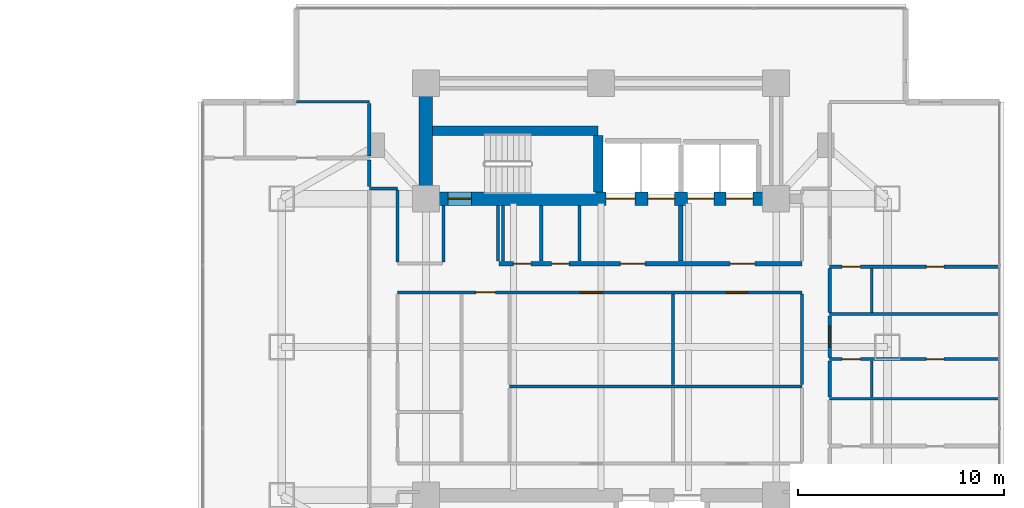
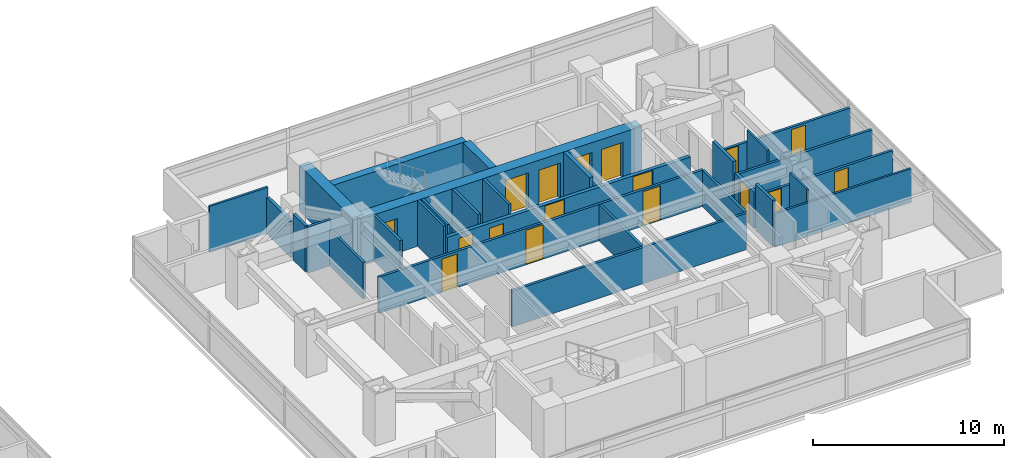
# One storey, part 19 of 26: 29 walls, 17 doors, 17 openings.
"""IFC4 building model written with IfcOpenShell, lengths in metres."""

from ifc_helpers import new_model, si_unit, direction, frame, frame_2d, origin, place, context, subcontext, project, spatial, rectangle, extrude, material, layer, layer_set, type_object, element, fill, save


model = new_model("IFC4")

# Units and contexts
model_context = context("Model", 3, precision=1e-05, world=origin(), true_north=direction((0.0, 1.0)))
body_context = subcontext(model_context, "Body", "Model", "MODEL_VIEW")
ifc_project = project(units=[si_unit("LENGTHUNIT", "METRE"), si_unit("AREAUNIT", "SQUARE_METRE"), si_unit("VOLUMEUNIT", "CUBIC_METRE"), si_unit("PLANEANGLEUNIT", "RADIAN"), si_unit("MASSUNIT", "GRAM", prefix="KILO")], contexts=[model_context])

# Site, building, storey
site_placement = place(None, origin())
site = spatial("IfcSite", under=ifc_project, at=site_placement, CompositionType="ELEMENT")
building_placement = place(site_placement, origin())
building = spatial("IfcBuilding", under=site, at=building_placement, Name="Mirazonda Arch Towers", CompositionType="ELEMENT")
storey_placement = place(building_placement, frame((0.0, 0.0, 78.5)))
storey = spatial("IfcBuildingStorey", under=building, at=storey_placement, Name="L22", CompositionType="ELEMENT", Elevation=78.5)

# Walls
ifc_material_1 = material(Name="Concrete C50/60", Category="concrete")
ifc_layer_1 = layer(ifc_material_1, 0.449951171875, Name="WALL-CORE-450")
ifc_layer_set_1 = layer_set([ifc_layer_1], Name="Concrete C50/60")
wall_type_1 = type_object("IfcWallType", Name="WALL-CORE-450", PredefinedType="SHEAR", material=ifc_layer_set_1)
wall_1_placement = place(storey_placement, frame((68.320068359375, 38.5, 0.0), z_axis=(0.0, 0.0, 1.0), x_axis=(1.0, 0.0, 0.0)))
element("IfcWall", 1, at=wall_1_placement, inside=storey, type_object=wall_type_1, Name="L22 Stair Core Shear Wall 048", PredefinedType="SHEAR", context=body_context, shape_type="SweptSolid", body=[
    extrude(rectangle(XDim=8.0400390625, YDim=0.449951171875, at=frame_2d((4.02001953125, 0.0))), origin(), (0.0, 0.0, 1.0), 2.93994140625),
])
wall_2_placement = place(storey_placement, frame((76.360107421875, 35.52001953125, 0.0), z_axis=(0.0, 0.0, 1.0), x_axis=(0.0, 1.0, 0.0)))
element("IfcWall", 2, at=wall_2_placement, inside=storey, type_object=wall_type_1, Name="L22 Stair Core Shear Wall 126", PredefinedType="SHEAR", context=body_context, shape_type="SweptSolid", body=[
    extrude(rectangle(XDim=2.744873046875, YDim=0.449951171875, at=frame_2d((1.37255859375, 0.0))), origin(), (0.0, 0.0, 1.0), 2.93994140625),
])
ifc_material_2 = material(Name="Concrete C60/75", Category="concrete")
ifc_layer_2 = layer(ifc_material_2, 0.64990234375, Name="WALL-CORE-650")
ifc_layer_set_2 = layer_set([ifc_layer_2], Name="Concrete C60/75")
wall_type_2 = type_object("IfcWallType", Name="WALL-CORE-650", PredefinedType="SHEAR", material=ifc_layer_set_2)
wall_3_placement = place(storey_placement, frame((68.0, 35.199951171875, 0.0), z_axis=(0.0, 0.0, 1.0), x_axis=(0.0, 1.0, 0.0)))
element("IfcWall", 3, at=wall_3_placement, inside=storey, type_object=wall_type_2, Name="L22 T2N-W Core Shear Wall", PredefinedType="SHEAR", context=body_context, shape_type="SweptSolid", body=[
    extrude(rectangle(XDim=5.60009765625, YDim=0.64990234375, at=frame_2d((2.800048828125, 0.0))), origin(), (0.0, 0.0, 1.0), 2.93994140625),
])

# Wall, openings, doors
wall_4_placement = place(storey_placement, frame((68.0, 35.199951171875, 0.0), z_axis=(0.0, 0.0, 1.0), x_axis=(1.0, 0.0, 0.0)))
wall_4 = element("IfcWall", 4, at=wall_4_placement, inside=storey, type_object=wall_type_2, Name="L22 T2N-S Core Shear Wall", PredefinedType="SHEAR", context=body_context, shape_type="SweptSolid", body=[
    extrude(rectangle(XDim=17.0, YDim=0.64990234375, at=frame_2d((8.5, 0.0))), origin(), (0.0, 0.0, 1.0), 2.93994140625),
])
opening_1_placement = place(wall_4_placement, frame((1.06005859375, 0.0, 0.0)))
opening_1 = element("IfcOpeningElement", 5, at=opening_1_placement, cuts=wall_4, Name="Opening DR-135", PredefinedType="OPENING", context=body_context, shape_type="SweptSolid", body=[
    extrude(rectangle(XDim=1.14990234375, YDim=2.199951171875, at=frame_2d((0.574951171875, 1.10009765625))), frame((0.0, 0.3349609375, 0.0), z_axis=(0.0, -1.0, 0.0), x_axis=(1.0, 0.0, 0.0)), (0.0, 0.0, 1.0), 0.669921875),
])
opening_2_placement = place(wall_4_placement, frame((8.75, 0.0, 0.0)))
opening_2 = element("IfcOpeningElement", 6, at=opening_2_placement, cuts=wall_4, Name="Opening LD-112", PredefinedType="OPENING", context=body_context, shape_type="SweptSolid", body=[
    extrude(rectangle(XDim=1.39990234375, YDim=2.35009765625, at=frame_2d((0.699951171875, 1.175048828125))), frame((0.0, 0.3349609375, 0.0), z_axis=(0.0, -1.0, 0.0), x_axis=(1.0, 0.0, 0.0)), (0.0, 0.0, 1.0), 0.669921875),
])
opening_3_placement = place(wall_4_placement, frame((10.77001953125, 0.0, 0.0)))
opening_3 = element("IfcOpeningElement", 7, at=opening_3_placement, cuts=wall_4, Name="Opening LD-111", PredefinedType="OPENING", context=body_context, shape_type="SweptSolid", body=[
    extrude(rectangle(XDim=1.300048828125, YDim=2.300048828125, at=frame_2d((0.64990234375, 1.14990234375))), frame((0.0, 0.3349609375, 0.0), z_axis=(0.0, -1.0, 0.0), x_axis=(1.0, 0.0, 0.0)), (0.0, 0.0, 1.0), 0.669921875),
])
opening_4_placement = place(wall_4_placement, frame((12.68994140625, 0.0, 0.0)))
opening_4 = element("IfcOpeningElement", 8, at=opening_4_placement, cuts=wall_4, Name="Opening LD-111", PredefinedType="OPENING", context=body_context, shape_type="SweptSolid", body=[
    extrude(rectangle(XDim=1.300048828125, YDim=2.300048828125, at=frame_2d((0.64990234375, 1.14990234375))), frame((0.0, 0.3349609375, 0.0), z_axis=(0.0, -1.0, 0.0), x_axis=(1.0, 0.0, 0.0)), (0.0, 0.0, 1.0), 0.669921875),
])
opening_5_placement = place(wall_4_placement, frame((14.570068359375, 0.0, 0.0)))
opening_5 = element("IfcOpeningElement", 9, at=opening_5_placement, cuts=wall_4, Name="Opening LD-111", PredefinedType="OPENING", context=body_context, shape_type="SweptSolid", body=[
    extrude(rectangle(XDim=1.300048828125, YDim=2.300048828125, at=frame_2d((0.64990234375, 1.14990234375))), frame((0.0, 0.3349609375, 0.0), z_axis=(0.0, -1.0, 0.0), x_axis=(1.0, 0.0, 0.0)), (0.0, 0.0, 1.0), 0.669921875),
])
ifc_material_3 = material(Name="Architectural Brushed Steel S355", Category="steel")
door_type_1 = type_object("IfcDoorType", Name="DOOR-LIFT-FFL-1400", OperationType="NOTDEFINED", PredefinedType="DOOR", material=ifc_material_3)
door_1_placement = place(opening_2_placement, origin())
door_1 = element("IfcDoor", 10, at=door_1_placement, inside=storey, type_object=door_type_1, Name="L22 Lift Landing Sliding Door FFL-T2", OperationType="DOUBLE_DOOR_SLIDING", OverallHeight=2.35009765625, OverallWidth=1.39990234375, PredefinedType="DOOR", context=body_context, shape_type="SweptSolid", body=[
    extrude(rectangle(XDim=1.39990234375, YDim=2.35009765625, at=frame_2d((0.699951171875, 1.175048828125))), frame((0.0, 0.02490234375, 0.0), z_axis=(0.0, -1.0, 0.0), x_axis=(1.0, 0.0, 0.0)), (0.0, 0.0, 1.0), 0.050048828125),
])
fill(opening_2, door_1)
door_type_2 = type_object("IfcDoorType", Name="DOOR-LIFT-LAND-1300", OperationType="NOTDEFINED", PredefinedType="DOOR", material=ifc_material_3)
door_2_placement = place(opening_3_placement, origin())
door_2 = element("IfcDoor", 11, at=door_2_placement, inside=storey, type_object=door_type_2, Name="L22 Lift Landing Sliding Door SVL-T2", OperationType="DOUBLE_DOOR_SLIDING", OverallHeight=2.300048828125, OverallWidth=1.300048828125, PredefinedType="DOOR", context=body_context, shape_type="SweptSolid", body=[
    extrude(rectangle(XDim=1.300048828125, YDim=2.300048828125, at=frame_2d((0.64990234375, 1.14990234375))), frame((0.0, 0.02490234375, 0.0), z_axis=(0.0, -1.0, 0.0), x_axis=(1.0, 0.0, 0.0)), (0.0, 0.0, 1.0), 0.050048828125),
])
fill(opening_3, door_2)
door_3_placement = place(opening_4_placement, origin())
door_3 = element("IfcDoor", 12, at=door_3_placement, inside=storey, type_object=door_type_2, Name="L22 Lift Landing Sliding Door PL-T2L1", OperationType="DOUBLE_DOOR_SLIDING", OverallHeight=2.300048828125, OverallWidth=1.300048828125, PredefinedType="DOOR", context=body_context, shape_type="SweptSolid", body=[
    extrude(rectangle(XDim=1.300048828125, YDim=2.300048828125, at=frame_2d((0.64990234375, 1.14990234375))), frame((0.0, 0.02490234375, 0.0), z_axis=(0.0, -1.0, 0.0), x_axis=(1.0, 0.0, 0.0)), (0.0, 0.0, 1.0), 0.050048828125),
])
fill(opening_4, door_3)
door_4_placement = place(opening_5_placement, origin())
door_4 = element("IfcDoor", 13, at=door_4_placement, inside=storey, type_object=door_type_2, Name="L22 Lift Landing Sliding Door PL-T2L2", OperationType="DOUBLE_DOOR_SLIDING", OverallHeight=2.300048828125, OverallWidth=1.300048828125, PredefinedType="DOOR", context=body_context, shape_type="SweptSolid", body=[
    extrude(rectangle(XDim=1.300048828125, YDim=2.300048828125, at=frame_2d((0.64990234375, 1.14990234375))), frame((0.0, 0.02490234375, 0.0), z_axis=(0.0, -1.0, 0.0), x_axis=(1.0, 0.0, 0.0)), (0.0, 0.0, 1.0), 0.050048828125),
])
fill(opening_5, door_4)
door_type_3 = type_object("IfcDoorType", Name="DOOR-STAIR-FD90-1150", OperationType="NOTDEFINED", PredefinedType="DOOR", material=ifc_material_3)
door_5_placement = place(opening_1_placement, origin())
door_5 = element("IfcDoor", 14, at=door_5_placement, inside=storey, type_object=door_type_3, Name="L22 East Protected Stair North Door", OperationType="SINGLE_SWING_RIGHT", OverallHeight=2.199951171875, OverallWidth=1.14990234375, PredefinedType="DOOR", context=body_context, shape_type="SweptSolid", body=[
    extrude(rectangle(XDim=1.14990234375, YDim=2.199951171875, at=frame_2d((0.574951171875, 1.10009765625))), frame((0.0, 0.02490234375, 0.0), z_axis=(0.0, -1.0, 0.0), x_axis=(1.0, 0.0, 0.0)), (0.0, 0.0, 1.0), 0.050048828125),
])
fill(opening_1, door_5)

ifc_material_4 = material(Name="Concrete C40/50", Category="concrete")
ifc_layer_3 = layer(ifc_material_4, 0.219970703125, Name="WALL-FFL-220")
ifc_layer_set_3 = layer_set([ifc_layer_3], Name="Concrete C40/50")
wall_type_3 = type_object("IfcWallType", Name="WALL-FFL-220", PredefinedType="SOLIDWALL", material=ifc_layer_set_3)
wall_5_placement = place(storey_placement, frame((71.550048828125, 32.050048828125, 0.0), z_axis=(0.0, 0.0, 1.0), x_axis=(1.0, 0.0, 0.0)))
wall_5 = element("IfcWall", 15, at=wall_5_placement, inside=storey, type_object=wall_type_3, Name="L22 Interior Partition 038", PredefinedType="SOLIDWALL", context=body_context, shape_type="SweptSolid", body=[
    extrude(rectangle(XDim=14.699951171875, YDim=0.219970703125, at=frame_2d((7.35009765625, 0.0))), origin(), (0.0, 0.0, 1.0), 2.31591796875),
])
opening_6_placement = place(wall_5_placement, frame((11.215087890625, 0.0, 0.0)))
opening_6 = element("IfcOpeningElement", 16, at=opening_6_placement, cuts=wall_5, Name="Opening DR-117", PredefinedType="OPENING", context=body_context, shape_type="SweptSolid", body=[
    extrude(rectangle(XDim=1.199951171875, YDim=2.25, at=frame_2d((0.60009765625, 1.125))), frame((0.0, 0.119873046875, 0.0), z_axis=(0.0, -1.0, 0.0), x_axis=(1.0, 0.0, 0.0)), (0.0, 0.0, 1.0), 0.239990234375),
])
opening_7_placement = place(wall_5_placement, frame((5.889892578125, 0.0, 0.0)))
opening_7 = element("IfcOpeningElement", 17, at=opening_7_placement, cuts=wall_5, Name="Opening DR-117", PredefinedType="OPENING", context=body_context, shape_type="SweptSolid", body=[
    extrude(rectangle(XDim=1.199951171875, YDim=2.25, at=frame_2d((0.60009765625, 1.125))), frame((0.0, 0.119873046875, 0.0), z_axis=(0.0, -1.0, 0.0), x_axis=(1.0, 0.0, 0.0)), (0.0, 0.0, 1.0), 0.239990234375),
])
opening_8_placement = place(wall_5_placement, frame((0.699951171875, 0.0, 0.0)))
opening_8 = element("IfcOpeningElement", 18, at=opening_8_placement, cuts=wall_5, Name="Opening DR-128", PredefinedType="OPENING", context=body_context, shape_type="SweptSolid", body=[
    extrude(rectangle(XDim=0.85009765625, YDim=2.010009765625, at=frame_2d((0.425048828125, 1.0048828125))), frame((0.0, 0.119873046875, 0.0), z_axis=(0.0, -1.0, 0.0), x_axis=(1.0, 0.0, 0.0)), (0.0, 0.0, 1.0), 0.239990234375),
])
opening_9_placement = place(wall_5_placement, frame((2.550048828125, 0.0, 0.0)))
opening_9 = element("IfcOpeningElement", 19, at=opening_9_placement, cuts=wall_5, Name="Opening DR-128", PredefinedType="OPENING", context=body_context, shape_type="SweptSolid", body=[
    extrude(rectangle(XDim=0.85009765625, YDim=2.010009765625, at=frame_2d((0.425048828125, 1.0048828125))), frame((0.0, 0.119873046875, 0.0), z_axis=(0.0, -1.0, 0.0), x_axis=(1.0, 0.0, 0.0)), (0.0, 0.0, 1.0), 0.239990234375),
])
door_type_4 = type_object("IfcDoorType", Name="DOOR-FFL-FD90-1200", OperationType="NOTDEFINED", PredefinedType="DOOR", material=ifc_material_3)
door_6_placement = place(opening_6_placement, origin())
door_6 = element("IfcDoor", 20, at=door_6_placement, inside=storey, type_object=door_type_4, Name="L22 East Passenger Lift Lobby Door", OperationType="SINGLE_SWING_LEFT", OverallHeight=2.25, OverallWidth=1.199951171875, PredefinedType="DOOR", context=body_context, shape_type="SweptSolid", body=[
    extrude(rectangle(XDim=1.199951171875, YDim=2.25, at=frame_2d((0.60009765625, 1.125))), frame((0.0, 0.02490234375, 0.0), z_axis=(0.0, -1.0, 0.0), x_axis=(1.0, 0.0, 0.0)), (0.0, 0.0, 1.0), 0.050048828125),
])
fill(opening_6, door_6)
door_7_placement = place(opening_7_placement, origin())
door_7 = element("IfcDoor", 21, at=door_7_placement, inside=storey, type_object=door_type_4, Name="L22 East Firefighting Lift Lobby Door", OperationType="SINGLE_SWING_LEFT", OverallHeight=2.25, OverallWidth=1.199951171875, PredefinedType="DOOR", context=body_context, shape_type="SweptSolid", body=[
    extrude(rectangle(XDim=1.199951171875, YDim=2.25, at=frame_2d((0.60009765625, 1.125))), frame((0.0, 0.02490234375, 0.0), z_axis=(0.0, -1.0, 0.0), x_axis=(1.0, 0.0, 0.0)), (0.0, 0.0, 1.0), 0.050048828125),
])
fill(opening_7, door_7)
door_type_5 = type_object("IfcDoorType", Name="DOOR-RISER-FD60-850", OperationType="NOTDEFINED", PredefinedType="DOOR", material=ifc_material_3)
door_8_placement = place(opening_8_placement, origin())
door_8 = element("IfcDoor", 22, at=door_8_placement, inside=storey, type_object=door_type_5, Name="L22 Tower 2 Electrical Room Door", OperationType="SINGLE_SWING_RIGHT", OverallHeight=2.010009765625, OverallWidth=0.85009765625, PredefinedType="DOOR", context=body_context, shape_type="SweptSolid", body=[
    extrude(rectangle(XDim=0.85009765625, YDim=2.010009765625, at=frame_2d((0.425048828125, 1.0048828125))), frame((0.0, 0.02490234375, 0.0), z_axis=(0.0, -1.0, 0.0), x_axis=(1.0, 0.0, 0.0)), (0.0, 0.0, 1.0), 0.050048828125),
])
fill(opening_8, door_8)
door_9_placement = place(opening_9_placement, origin())
door_9 = element("IfcDoor", 23, at=door_9_placement, inside=storey, type_object=door_type_5, Name="L22 Tower 2 Cleaners Store Door", OperationType="SINGLE_SWING_LEFT", OverallHeight=2.010009765625, OverallWidth=0.85009765625, PredefinedType="DOOR", context=body_context, shape_type="SweptSolid", body=[
    extrude(rectangle(XDim=0.85009765625, YDim=2.010009765625, at=frame_2d((0.425048828125, 1.0048828125))), frame((0.0, 0.02490234375, 0.0), z_axis=(0.0, -1.0, 0.0), x_axis=(1.0, 0.0, 0.0)), (0.0, 0.0, 1.0), 0.050048828125),
])
fill(opening_9, door_9)

# Walls
wall_6_placement = place(storey_placement, frame((80.3798828125, 32.169921875, 0.0), z_axis=(0.0, 0.0, 1.0), x_axis=(0.0, 1.0, 0.0)))
element("IfcWall", 24, at=wall_6_placement, inside=storey, type_object=wall_type_3, Name="L22 Interior Partition 130", PredefinedType="SOLIDWALL", context=body_context, shape_type="SweptSolid", body=[
    extrude(rectangle(XDim=2.7099609375, YDim=0.219970703125, at=frame_2d((1.35498046875, 0.0))), origin(), (0.0, 0.0, 1.0), 2.93994140625),
])
ifc_material_5 = material(Name="Fire-Rated Gypsum Stud Partition")
ifc_layer_4 = layer(ifc_material_5, 0.14990234375, Name="WALL-PART-CORR-150")
ifc_layer_set_4 = layer_set([ifc_layer_4], Name="Fire-Rated Gypsum Stud Partition")
wall_type_4 = type_object("IfcWallType", Name="WALL-PART-CORR-150", PredefinedType="PARTITIONING", material=ifc_layer_set_4)
wall_7_placement = place(storey_placement, frame((72.050048828125, 26.0849609375, 0.0), z_axis=(0.0, 0.0, 1.0), x_axis=(1.0, 0.0, 0.0)))
element("IfcWall", 25, at=wall_7_placement, inside=storey, type_object=wall_type_4, Name="L22 Interior Partition 027", PredefinedType="PARTITIONING", context=body_context, shape_type="SweptSolid", body=[
    extrude(rectangle(XDim=14.199951171875, YDim=0.14990234375, at=frame_2d((7.10009765625, 0.0))), origin(), (0.0, 0.0, 1.0), 2.31591796875),
])

# Wall, openings, doors
wall_8_placement = place(storey_placement, frame((87.60009765625, 27.412109375, 0.0), z_axis=(0.0, 0.0, 1.0), x_axis=(1.0, 0.0, 0.0)))
wall_8 = element("IfcWall", 26, at=wall_8_placement, inside=storey, type_object=wall_type_4, Name="L22 Interior Partition 031", PredefinedType="PARTITIONING", context=body_context, shape_type="SweptSolid", body=[
    extrude(rectangle(XDim=8.243896484375, YDim=0.14990234375, at=frame_2d((4.1220703125, 0.0))), origin(), (0.0, 0.0, 1.0), 2.158935546875),
])
opening_10_placement = place(wall_8_placement, frame((4.697021484375, 0.0, 0.0)))
opening_10 = element("IfcOpeningElement", 27, at=opening_10_placement, cuts=wall_8, Name="Opening DR-128", PredefinedType="OPENING", context=body_context, shape_type="SweptSolid", body=[
    extrude(rectangle(XDim=0.85009765625, YDim=2.010009765625, at=frame_2d((0.425048828125, 1.0048828125))), frame((0.0, 0.0849609375, 0.0), z_axis=(0.0, -1.0, 0.0), x_axis=(1.0, 0.0, 0.0)), (0.0, 0.0, 1.0), 0.169921875),
])
opening_11_placement = place(wall_8_placement, frame((0.590087890625, 0.0, 0.0)))
opening_11 = element("IfcOpeningElement", 28, at=opening_11_placement, cuts=wall_8, Name="Opening DR-120", PredefinedType="OPENING", context=body_context, shape_type="SweptSolid", body=[
    extrude(rectangle(XDim=0.89990234375, YDim=2.10009765625, at=frame_2d((0.449951171875, 1.050048828125))), frame((0.0, 0.0849609375, 0.0), z_axis=(0.0, -1.0, 0.0), x_axis=(1.0, 0.0, 0.0)), (0.0, 0.0, 1.0), 0.169921875),
])
door_10_placement = place(opening_10_placement, origin())
door_10 = element("IfcDoor", 29, at=door_10_placement, inside=storey, type_object=door_type_5, Name="L22 Guestroom Study 2 Door", OperationType="SINGLE_SWING_LEFT", OverallHeight=2.010009765625, OverallWidth=0.85009765625, PredefinedType="DOOR", context=body_context, shape_type="SweptSolid", body=[
    extrude(rectangle(XDim=0.85009765625, YDim=2.010009765625, at=frame_2d((0.425048828125, 1.0048828125))), frame((0.0, 0.02490234375, 0.0), z_axis=(0.0, -1.0, 0.0), x_axis=(1.0, 0.0, 0.0)), (0.0, 0.0, 1.0), 0.050048828125),
])
fill(opening_10, door_10)
door_type_6 = type_object("IfcDoorType", Name="DOOR-WC-900", OperationType="NOTDEFINED", PredefinedType="DOOR", material=ifc_material_3)
door_11_placement = place(opening_11_placement, origin())
door_11 = element("IfcDoor", 30, at=door_11_placement, inside=storey, type_object=door_type_6, Name="L22 En-Suite Bathroom 2 Door", OperationType="SINGLE_SWING_RIGHT", OverallHeight=2.10009765625, OverallWidth=0.89990234375, PredefinedType="DOOR", context=body_context, shape_type="SweptSolid", body=[
    extrude(rectangle(XDim=0.89990234375, YDim=2.10009765625, at=frame_2d((0.449951171875, 1.050048828125))), frame((0.0, 0.02490234375, 0.0), z_axis=(0.0, -1.0, 0.0), x_axis=(1.0, 0.0, 0.0)), (0.0, 0.0, 1.0), 0.050048828125),
])
fill(opening_11, door_11)

# Wall
wall_9_placement = place(storey_placement, frame((87.60009765625, 29.595947265625, 0.0), z_axis=(0.0, 0.0, 1.0), x_axis=(1.0, 0.0, 0.0)))
element("IfcWall", 31, at=wall_9_placement, inside=storey, type_object=wall_type_4, Name="L22 Interior Partition 033", PredefinedType="PARTITIONING", context=body_context, shape_type="SweptSolid", body=[
    extrude(rectangle(XDim=8.243896484375, YDim=0.14990234375, at=frame_2d((4.1220703125, 0.0))), origin(), (0.0, 0.0, 1.0), 2.158935546875),
])

# Wall, openings, doors
wall_10_placement = place(storey_placement, frame((66.6201171875, 30.64990234375, 0.0), z_axis=(0.0, 0.0, 1.0), x_axis=(1.0, 0.0, 0.0)))
wall_10 = element("IfcWall", 32, at=wall_10_placement, inside=storey, type_object=wall_type_4, Name="L22 Interior Partition 034", PredefinedType="PARTITIONING", context=body_context, shape_type="SweptSolid", body=[
    extrude(rectangle(XDim=19.6298828125, YDim=0.14990234375, at=frame_2d((9.81494140625, 0.0))), origin(), (0.0, 0.0, 1.0), 2.31591796875),
])
opening_12_placement = place(wall_10_placement, frame((3.804931640625, 0.0, 0.0)))
opening_12 = element("IfcOpeningElement", 33, at=opening_12_placement, cuts=wall_10, Name="Opening DR-104", PredefinedType="OPENING", context=body_context, shape_type="SweptSolid", body=[
    extrude(rectangle(XDim=0.949951171875, YDim=2.14990234375, at=frame_2d((0.47509765625, 1.074951171875))), frame((0.0, 0.0849609375, 0.0), z_axis=(0.0, -1.0, 0.0), x_axis=(1.0, 0.0, 0.0)), (0.0, 0.0, 1.0), 0.169921875),
])
opening_13_placement = place(wall_10_placement, frame((8.881103515625, 0.0, 0.0)))
opening_13 = element("IfcOpeningElement", 34, at=opening_13_placement, cuts=wall_10, Name="Opening DR-121", PredefinedType="OPENING", context=body_context, shape_type="SweptSolid", body=[
    extrude(rectangle(XDim=1.050048828125, YDim=2.199951171875, at=frame_2d((0.52490234375, 1.10009765625))), frame((0.0, 0.0849609375, 0.0), z_axis=(0.0, -1.0, 0.0), x_axis=(1.0, 0.0, 0.0)), (0.0, 0.0, 1.0), 0.169921875),
])
opening_14_placement = place(wall_10_placement, frame((15.9609375, 0.0, 0.0)))
opening_14 = element("IfcOpeningElement", 35, at=opening_14_placement, cuts=wall_10, Name="Opening DR-121", PredefinedType="OPENING", context=body_context, shape_type="SweptSolid", body=[
    extrude(rectangle(XDim=1.050048828125, YDim=2.199951171875, at=frame_2d((0.52490234375, 1.10009765625))), frame((0.0, 0.0849609375, 0.0), z_axis=(0.0, -1.0, 0.0), x_axis=(1.0, 0.0, 0.0)), (0.0, 0.0, 1.0), 0.169921875),
])
door_type_7 = type_object("IfcDoorType", Name="DOOR-ROOM-950", OperationType="NOTDEFINED", PredefinedType="DOOR", material=ifc_material_3)
door_12_placement = place(opening_12_placement, origin())
door_12 = element("IfcDoor", 36, at=door_12_placement, inside=storey, type_object=door_type_7, Name="L22 L22 East Courtyard Study Door", OperationType="SINGLE_SWING_LEFT", OverallHeight=2.14990234375, OverallWidth=0.949951171875, PredefinedType="DOOR", context=body_context, shape_type="SweptSolid", body=[
    extrude(rectangle(XDim=0.949951171875, YDim=2.14990234375, at=frame_2d((0.47509765625, 1.074951171875))), frame((0.0, 0.02490234375, 0.0), z_axis=(0.0, -1.0, 0.0), x_axis=(1.0, 0.0, 0.0)), (0.0, 0.0, 1.0), 0.050048828125),
])
fill(opening_12, door_12)
door_type_8 = type_object("IfcDoorType", Name="DOOR-SUITE-FD60-1050", OperationType="NOTDEFINED", PredefinedType="DOOR", material=ifc_material_3)
door_13_placement = place(opening_13_placement, origin())
door_13 = element("IfcDoor", 37, at=door_13_placement, inside=storey, type_object=door_type_8, Name="L22 Concierge Salon Door", OperationType="SINGLE_SWING_RIGHT", OverallHeight=2.199951171875, OverallWidth=1.050048828125, PredefinedType="DOOR", context=body_context, shape_type="SweptSolid", body=[
    extrude(rectangle(XDim=1.050048828125, YDim=2.199951171875, at=frame_2d((0.52490234375, 1.10009765625))), frame((0.0, 0.02490234375, 0.0), z_axis=(0.0, -1.0, 0.0), x_axis=(1.0, 0.0, 0.0)), (0.0, 0.0, 1.0), 0.050048828125),
])
fill(opening_13, door_13)
door_14_placement = place(opening_14_placement, origin())
door_14 = element("IfcDoor", 38, at=door_14_placement, inside=storey, type_object=door_type_8, Name="L22 Private Meeting Suite Door", OperationType="SINGLE_SWING_LEFT", OverallHeight=2.199951171875, OverallWidth=1.050048828125, PredefinedType="DOOR", context=body_context, shape_type="SweptSolid", body=[
    extrude(rectangle(XDim=1.050048828125, YDim=2.199951171875, at=frame_2d((0.52490234375, 1.10009765625))), frame((0.0, 0.02490234375, 0.0), z_axis=(0.0, -1.0, 0.0), x_axis=(1.0, 0.0, 0.0)), (0.0, 0.0, 1.0), 0.050048828125),
])
fill(opening_14, door_14)

wall_11_placement = place(storey_placement, frame((87.60009765625, 31.89599609375, 0.0), z_axis=(0.0, 0.0, 1.0), x_axis=(1.0, 0.0, 0.0)))
wall_11 = element("IfcWall", 39, at=wall_11_placement, inside=storey, type_object=wall_type_4, Name="L22 Interior Partition 035", PredefinedType="PARTITIONING", context=body_context, shape_type="SweptSolid", body=[
    extrude(rectangle(XDim=8.243896484375, YDim=0.14990234375, at=frame_2d((4.1220703125, 0.0))), origin(), (0.0, 0.0, 1.0), 2.158935546875),
])
opening_15_placement = place(wall_11_placement, frame((4.697021484375, 0.0, 0.0)))
opening_15 = element("IfcOpeningElement", 40, at=opening_15_placement, cuts=wall_11, Name="Opening DR-128", PredefinedType="OPENING", context=body_context, shape_type="SweptSolid", body=[
    extrude(rectangle(XDim=0.85009765625, YDim=2.010009765625, at=frame_2d((0.425048828125, 1.0048828125))), frame((0.0, 0.0849609375, 0.0), z_axis=(0.0, -1.0, 0.0), x_axis=(1.0, 0.0, 0.0)), (0.0, 0.0, 1.0), 0.169921875),
])
opening_16_placement = place(wall_11_placement, frame((0.590087890625, 0.0, 0.0)))
opening_16 = element("IfcOpeningElement", 41, at=opening_16_placement, cuts=wall_11, Name="Opening DR-120", PredefinedType="OPENING", context=body_context, shape_type="SweptSolid", body=[
    extrude(rectangle(XDim=0.89990234375, YDim=2.10009765625, at=frame_2d((0.449951171875, 1.050048828125))), frame((0.0, 0.0849609375, 0.0), z_axis=(0.0, -1.0, 0.0), x_axis=(1.0, 0.0, 0.0)), (0.0, 0.0, 1.0), 0.169921875),
])
door_15_placement = place(opening_15_placement, origin())
door_15 = element("IfcDoor", 42, at=door_15_placement, inside=storey, type_object=door_type_5, Name="L22 Guestroom Study 3 Door", OperationType="SINGLE_SWING_RIGHT", OverallHeight=2.010009765625, OverallWidth=0.85009765625, PredefinedType="DOOR", context=body_context, shape_type="SweptSolid", body=[
    extrude(rectangle(XDim=0.85009765625, YDim=2.010009765625, at=frame_2d((0.425048828125, 1.0048828125))), frame((0.0, 0.02490234375, 0.0), z_axis=(0.0, -1.0, 0.0), x_axis=(1.0, 0.0, 0.0)), (0.0, 0.0, 1.0), 0.050048828125),
])
fill(opening_15, door_15)
door_16_placement = place(opening_16_placement, origin())
door_16 = element("IfcDoor", 43, at=door_16_placement, inside=storey, type_object=door_type_6, Name="L22 En-Suite Bathroom 3 Door", OperationType="SINGLE_SWING_LEFT", OverallHeight=2.10009765625, OverallWidth=0.89990234375, PredefinedType="DOOR", context=body_context, shape_type="SweptSolid", body=[
    extrude(rectangle(XDim=0.89990234375, YDim=2.10009765625, at=frame_2d((0.449951171875, 1.050048828125))), frame((0.0, 0.02490234375, 0.0), z_axis=(0.0, -1.0, 0.0), x_axis=(1.0, 0.0, 0.0)), (0.0, 0.0, 1.0), 0.050048828125),
])
fill(opening_16, door_16)

# Walls
wall_12_placement = place(storey_placement, frame((65.25, 35.699951171875, 0.0), z_axis=(0.0, 0.0, 1.0), x_axis=(1.0, 0.0, 0.0)))
element("IfcWall", 44, at=wall_12_placement, inside=storey, type_object=wall_type_4, Name="L22 Interior Partition 043", PredefinedType="PARTITIONING", context=body_context, shape_type="SweptSolid", body=[
    extrude(rectangle(XDim=1.3701171875, YDim=0.14990234375, at=frame_2d((0.68505859375, 0.0))), origin(), (0.0, 0.0, 1.0), 2.93994140625),
])
wall_13_placement = place(storey_placement, frame((66.6201171875, 32.135009765625, 0.0), z_axis=(0.0, 0.0, 1.0), x_axis=(0.0, 1.0, 0.0)))
element("IfcWall", 45, at=wall_13_placement, inside=storey, type_object=wall_type_4, Name="L22 Interior Partition 115", PredefinedType="PARTITIONING", context=body_context, shape_type="SweptSolid", body=[
    extrude(rectangle(XDim=3.47998046875, YDim=0.14990234375, at=frame_2d((1.739990234375, 0.0))), origin(), (0.0, 0.0, 1.0), 2.33203125),
])
wall_14_placement = place(storey_placement, frame((68.85009765625, 32.135009765625, 0.0), z_axis=(0.0, 0.0, 1.0), x_axis=(0.0, 1.0, 0.0)))
element("IfcWall", 46, at=wall_14_placement, inside=storey, type_object=wall_type_4, Name="L22 Interior Partition 116", PredefinedType="PARTITIONING", context=body_context, shape_type="SweptSolid", body=[
    extrude(rectangle(XDim=2.744873046875, YDim=0.14990234375, at=frame_2d((1.37255859375, 0.0))), origin(), (0.0, 0.0, 1.0), 2.93994140625),
])
for number, where, z_axis, x_axis, name in (
    (47, (71.5, 32.169921875, 0.0), (0.0, 0.0, 1.0), (0.0, 1.0, 0.0), "L22 Interior Partition 119"),
    (48, (71.75, 32.169921875, 0.0), (0.0, 0.0, 1.0), (0.0, 1.0, 0.0), "L22 Interior Partition 120"),
    (49, (73.60009765625, 32.169921875, 0.0), (0.0, 0.0, 1.0), (0.0, 1.0, 0.0), "L22 Interior Partition 123"),
    (50, (75.449951171875, 32.169921875, 0.0), (0.0, 0.0, 1.0), (0.0, 1.0, 0.0), "L22 Interior Partition 124"),
):
    element("IfcWall", number, at=place(storey_placement, frame(where, z_axis=z_axis, x_axis=x_axis)), inside=storey, type_object=wall_type_4, Name=name, PredefinedType="PARTITIONING", context=body_context, shape_type="SweptSolid", body=[
        extrude(rectangle(XDim=2.7099609375, YDim=0.14990234375, at=frame_2d((1.35498046875, 0.0))), origin(), (0.0, 0.0, 1.0), 2.93994140625),
    ])
for number, where, z_axis, x_axis, name in (
    (51, (80.001953125, 26.169921875, 0.0), (0.0, 0.0, 1.0), (0.0, 1.0, 0.0), "L22 Interior Partition 129"),
    (52, (86.25, 26.169921875, 0.0), (0.0, 0.0, 1.0), (0.0, 1.0, 0.0), "L22 Interior Partition 136"),
):
    element("IfcWall", number, at=place(storey_placement, frame(where, z_axis=z_axis, x_axis=x_axis)), inside=storey, type_object=wall_type_4, Name=name, PredefinedType="PARTITIONING", context=body_context, shape_type="SweptSolid", body=[
        extrude(rectangle(XDim=4.39501953125, YDim=0.14990234375, at=frame_2d((2.197509765625, 0.0))), origin(), (0.0, 0.0, 1.0), 2.31591796875),
    ])
ifc_material_6 = material(Name="Fire-Rated Gypsum Twin-Stud Assembly")
ifc_layer_5 = layer(ifc_material_6, 0.179931640625, Name="WALL-PART-DEMISE-180")
ifc_layer_set_5 = layer_set([ifc_layer_5], Name="Fire-Rated Gypsum Twin-Stud Assembly")
wall_type_5 = type_object("IfcWallType", Name="WALL-PART-DEMISE-180", PredefinedType="PARTITIONING", material=ifc_layer_set_5)
wall_15_placement = place(storey_placement, frame((65.25, 35.784912109375, 0.0), z_axis=(0.0, 0.0, 1.0), x_axis=(0.0, 1.0, 0.0)))
element("IfcWall", 53, at=wall_15_placement, inside=storey, type_object=wall_type_5, Name="L22 Interior Partition 110", PredefinedType="PARTITIONING", context=body_context, shape_type="SweptSolid", body=[
    extrude(rectangle(XDim=1.291015625, YDim=0.179931640625, at=frame_2d((0.6455078125, 0.0))), origin(), (0.0, 0.0, 1.0), 2.93994140625),
])
wall_16_placement = place(storey_placement, frame((65.25, 37.27587890625, 0.0), z_axis=(0.0, 0.0, 1.0), x_axis=(0.0, 1.0, 0.0)))
element("IfcWall", 54, at=wall_16_placement, inside=storey, type_object=wall_type_5, Name="L22 Interior Partition 111", PredefinedType="PARTITIONING", context=body_context, shape_type="SweptSolid", body=[
    extrude(rectangle(XDim=2.547607421875, YDim=0.179931640625, at=frame_2d((1.27392578125, 0.0))), origin(), (0.0, 0.0, 1.0), 2.31591796875),
])
wall_17_placement = place(storey_placement, frame((87.60009765625, 25.564453125, 0.0), z_axis=(0.0, 0.0, 1.0), x_axis=(0.0, 1.0, 0.0)))
element("IfcWall", 55, at=wall_17_placement, inside=storey, type_object=wall_type_5, Name="L22 Interior Partition 142", PredefinedType="PARTITIONING", context=body_context, shape_type="SweptSolid", body=[
    extrude(rectangle(XDim=1.762451171875, YDim=0.179931640625, at=frame_2d((0.88134765625, 0.0))), origin(), (0.0, 0.0, 1.0), 2.93994140625),
])

# Wall, opening, door
wall_18_placement = place(storey_placement, frame((87.60009765625, 27.4970703125, 0.0), z_axis=(0.0, 0.0, 1.0), x_axis=(0.0, 1.0, 0.0)))
wall_18 = element("IfcWall", 56, at=wall_18_placement, inside=storey, type_object=wall_type_5, Name="L22 Interior Partition 143", PredefinedType="PARTITIONING", context=body_context, shape_type="SweptSolid", body=[
    extrude(rectangle(XDim=2.013916015625, YDim=0.179931640625, at=frame_2d((1.0068359375, 0.0))), origin(), (0.0, 0.0, 1.0), 2.31591796875),
])
opening_17_placement = place(wall_18_placement, frame((0.48193359375, 0.0, 0.0)))
opening_17 = element("IfcOpeningElement", 57, at=opening_17_placement, cuts=wall_18, Name="Opening DR-121", PredefinedType="OPENING", context=body_context, shape_type="SweptSolid", body=[
    extrude(rectangle(XDim=1.050048828125, YDim=2.199951171875, at=frame_2d((0.52490234375, 1.10009765625))), frame((0.0, 0.099853515625, 0.0), z_axis=(0.0, -1.0, 0.0), x_axis=(1.0, 0.0, 0.0)), (0.0, 0.0, 1.0), 0.199951171875),
])
door_17_placement = place(opening_17_placement, origin())
door_17 = element("IfcDoor", 58, at=door_17_placement, inside=storey, type_object=door_type_8, Name="L22 Twin Hotel Guestroom 2 Door", OperationType="SINGLE_SWING_RIGHT", OverallHeight=2.199951171875, OverallWidth=1.050048828125, PredefinedType="DOOR", context=body_context, shape_type="SweptSolid", body=[
    extrude(rectangle(XDim=1.050048828125, YDim=2.199951171875, at=frame_2d((0.52490234375, 1.10009765625))), frame((0.0, 0.02490234375, 0.0), z_axis=(0.0, -1.0, 0.0), x_axis=(1.0, 0.0, 0.0)), (0.0, 0.0, 1.0), 0.050048828125),
])
fill(opening_17, door_17)

# Walls
wall_19_placement = place(storey_placement, frame((87.60009765625, 29.680908203125, 0.0), z_axis=(0.0, 0.0, 1.0), x_axis=(0.0, 1.0, 0.0)))
element("IfcWall", 59, at=wall_19_placement, inside=storey, type_object=wall_type_5, Name="L22 Interior Partition 144", PredefinedType="PARTITIONING", context=body_context, shape_type="SweptSolid", body=[
    extrude(rectangle(XDim=2.130126953125, YDim=0.179931640625, at=frame_2d((1.06494140625, 0.0))), origin(), (0.0, 0.0, 1.0), 2.93994140625),
])
ifc_material_7 = material(Name="Acoustic Fire-Rated Gypsum Partition")
ifc_layer_6 = layer(ifc_material_7, 0.125, Name="WALL-PART-UNIT-125")
ifc_layer_set_6 = layer_set([ifc_layer_6], Name="Acoustic Fire-Rated Gypsum Partition")
wall_type_6 = type_object("IfcWallType", Name="WALL-PART-UNIT-125", PredefinedType="PARTITIONING", material=ifc_layer_set_6)
wall_20_placement = place(storey_placement, frame((87.60009765625, 25.491943359375, 0.0), z_axis=(0.0, 0.0, 1.0), x_axis=(1.0, 0.0, 0.0)))
element("IfcWall", 60, at=wall_20_placement, inside=storey, type_object=wall_type_6, Name="L22 Interior Partition 026", PredefinedType="PARTITIONING", context=body_context, shape_type="SweptSolid", body=[
    extrude(rectangle(XDim=8.243896484375, YDim=0.125, at=frame_2d((4.1220703125, 0.0))), origin(), (0.0, 0.0, 1.0), 2.158935546875),
])
wall_21_placement = place(storey_placement, frame((61.721923828125, 39.89599609375, 0.0), z_axis=(0.0, 0.0, 1.0), x_axis=(1.0, 0.0, 0.0)))
element("IfcWall", 61, at=wall_21_placement, inside=storey, type_object=wall_type_6, Name="L22 Interior Partition 049", PredefinedType="PARTITIONING", context=body_context, shape_type="SweptSolid", body=[
    extrude(rectangle(XDim=3.528076171875, YDim=0.125, at=frame_2d((1.76416015625, 0.0))), origin(), (0.0, 0.0, 1.0), 2.93994140625),
])
wall_22_placement = place(storey_placement, frame((89.639892578125, 25.564453125, 0.0), z_axis=(0.0, 0.0, 1.0), x_axis=(0.0, 1.0, 0.0)))
element("IfcWall", 62, at=wall_22_placement, inside=storey, type_object=wall_type_6, Name="L22 Interior Partition 148", PredefinedType="PARTITIONING", context=body_context, shape_type="SweptSolid", body=[
    extrude(rectangle(XDim=1.762451171875, YDim=0.125, at=frame_2d((0.88134765625, 0.0))), origin(), (0.0, 0.0, 1.0), 2.93994140625),
])
wall_23_placement = place(storey_placement, frame((89.639892578125, 29.680908203125, 0.0), z_axis=(0.0, 0.0, 1.0), x_axis=(0.0, 1.0, 0.0)))
element("IfcWall", 63, at=wall_23_placement, inside=storey, type_object=wall_type_6, Name="L22 Interior Partition 149", PredefinedType="PARTITIONING", context=body_context, shape_type="SweptSolid", body=[
    extrude(rectangle(XDim=2.130126953125, YDim=0.125, at=frame_2d((1.06494140625, 0.0))), origin(), (0.0, 0.0, 1.0), 2.93994140625),
])

save(model, "model.ifc")
